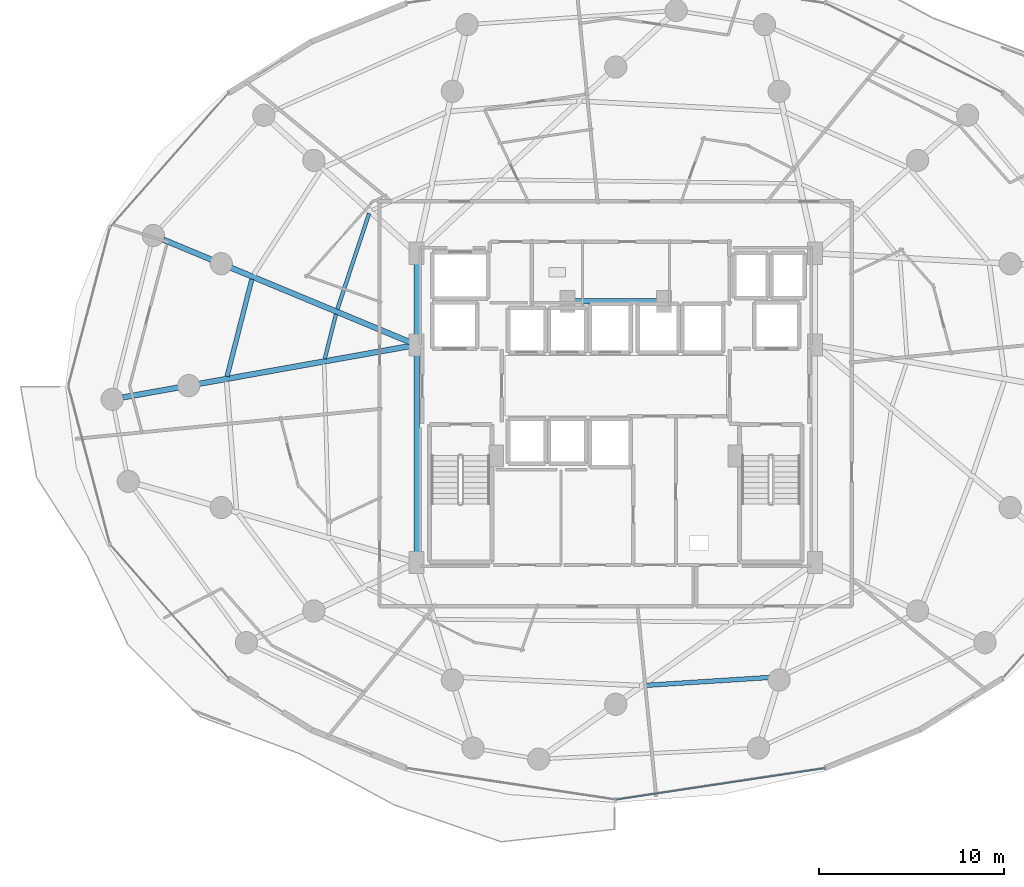
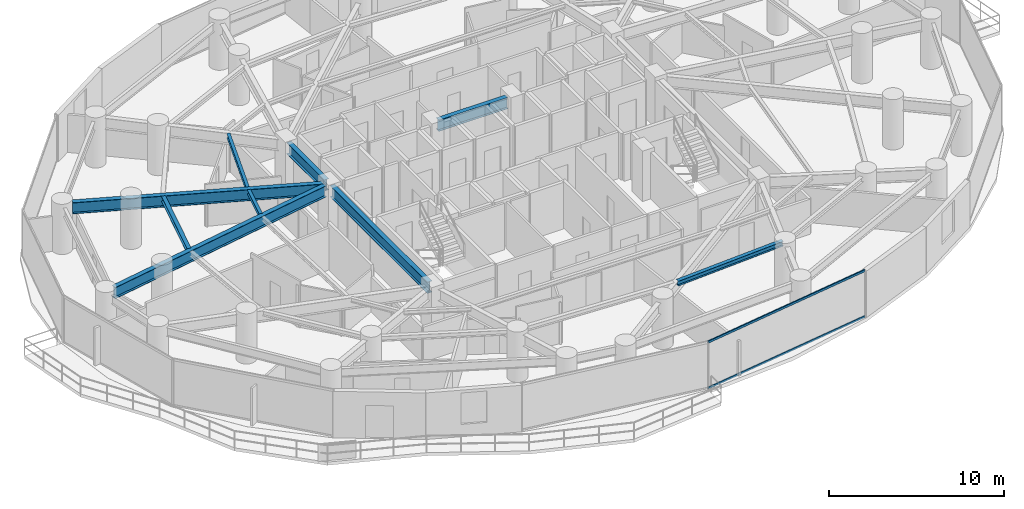
# One storey, part 10 of 33: 9 beams, 2 members, 1 element without a shape of its own.
"""IFC4 building model written with IfcOpenShell, lengths in metres."""

from ifc_helpers import new_model, si_unit, direction, frame, origin, origin_2d, place, context, subcontext, project, spatial, hollow_rectangle, i_section, extrude, material, material_profile, profile_set, type_object, element, aggregate, save


model = new_model("IFC4")

# Units and contexts
model_context = context("Model", 3, precision=1e-05, world=origin(), true_north=direction((0.0, 1.0)))
body_context = subcontext(model_context, "Body", "Model", "MODEL_VIEW")
ifc_project = project(units=[si_unit("LENGTHUNIT", "METRE"), si_unit("AREAUNIT", "SQUARE_METRE"), si_unit("VOLUMEUNIT", "CUBIC_METRE"), si_unit("PLANEANGLEUNIT", "RADIAN"), si_unit("MASSUNIT", "GRAM", prefix="KILO")], contexts=[model_context])

# Site, building, storey
site_placement = place(None, origin())
site = spatial("IfcSite", under=ifc_project, at=site_placement, CompositionType="ELEMENT")
building_placement = place(site_placement, origin())
building = spatial("IfcBuilding", under=site, at=building_placement, Name="Vorneva Point Tower", CompositionType="ELEMENT")
storey_placement = place(building_placement, frame((0.0, 0.0, 59.0)))
storey = spatial("IfcBuildingStorey", under=building, at=storey_placement, Name="L15", CompositionType="ELEMENT", Elevation=59.0)

# Beams
ifc_material_1 = material(Name="Steel S355", Category="steel")
ifc_material_profile_1 = material_profile(ifc_material_1, i_section(OverallWidth=0.300048828125, OverallDepth=0.7880859375, WebThickness=0.014404296875, FlangeThickness=0.02197265625, at=origin_2d()), Name="80Sh1")
ifc_profile_set_1 = profile_set([ifc_material_profile_1], Name="Steel S355")
beam_type_1 = type_object("IfcBeamType", Name="BM-GRD-80Sh1", PredefinedType="USERDEFINED", material=ifc_profile_set_1)
beam_1_placement = place(storey_placement, frame((13.58203125, 33.8798828125, 2.845947265625), z_axis=(0.923441131162, -0.383740116847, 0.0), x_axis=(0.383740116847, 0.923441131162, 0.0)))
element("IfcBeam", 1, at=beam_1_placement, inside=storey, type_object=beam_type_1, Name="L15 Radial Primary Girder 08", ObjectType="GIRDER", PredefinedType="USERDEFINED", context=body_context, shape_type="SweptSolid", body=[
    extrude(i_section(OverallWidth=0.300048828125, OverallDepth=0.7880859375, WebThickness=0.014404296875, FlangeThickness=0.02197265625, at=origin_2d()), origin(), (0.0, 0.0, 1.0), 14.461181640625),
])
beam_2_placement = place(storey_placement, frame((11.396728515625, 25.364501953125, 2.845947265625), z_axis=(0.984378532035, 0.176065060895, 0.0), x_axis=(-0.176065060895, 0.984378532035, 0.0)))
element("IfcBeam", 2, at=beam_2_placement, inside=storey, type_object=beam_type_1, Name="L15 Radial Primary Girder 09", ObjectType="GIRDER", PredefinedType="USERDEFINED", context=body_context, shape_type="SweptSolid", body=[
    extrude(i_section(OverallWidth=0.300048828125, OverallDepth=0.7880859375, WebThickness=0.014404296875, FlangeThickness=0.02197265625, at=origin_2d()), origin(), (0.0, 0.0, 1.0), 15.764892578125),
])
beam_3_placement = place(storey_placement, frame((27.25, 16.77001953125, 2.845947265625), z_axis=(0.0, 1.0, 0.0), x_axis=(-1.0, 0.0, 0.0)))
element("IfcBeam", 3, at=beam_3_placement, inside=storey, type_object=beam_type_1, Name="L15 Core Tie Girder CT1", ObjectType="GIRDER", PredefinedType="USERDEFINED", context=body_context, shape_type="SweptSolid", body=[
    extrude(i_section(OverallWidth=0.300048828125, OverallDepth=0.7880859375, WebThickness=0.014404296875, FlangeThickness=0.02197265625, at=origin_2d()), origin(), (0.0, 0.0, 1.0), 11.10986328125),
])
beam_4_placement = place(storey_placement, frame((27.25, 28.52001953125, 2.845947265625), z_axis=(0.0, 1.0, 0.0), x_axis=(-1.0, 0.0, 0.0)))
element("IfcBeam", 4, at=beam_4_placement, inside=storey, type_object=beam_type_1, Name="L15 Core Tie Girder CT2", ObjectType="GIRDER", PredefinedType="USERDEFINED", context=body_context, shape_type="SweptSolid", body=[
    extrude(i_section(OverallWidth=0.300048828125, OverallDepth=0.7880859375, WebThickness=0.014404296875, FlangeThickness=0.02197265625, at=origin_2d()), origin(), (0.0, 0.0, 1.0), 4.31005859375),
])
beam_5_placement = place(storey_placement, frame((35.719970703125, 30.550048828125, 2.845947265625), z_axis=(1.0, 0.0, 0.0), x_axis=(0.0, 1.0, 0.0)))
element("IfcBeam", 5, at=beam_5_placement, inside=storey, type_object=beam_type_1, Name="L15 Core Tie Girder CT8", ObjectType="GIRDER", PredefinedType="USERDEFINED", context=body_context, shape_type="SweptSolid", body=[
    extrude(i_section(OverallWidth=0.300048828125, OverallDepth=0.7880859375, WebThickness=0.014404296875, FlangeThickness=0.02197265625, at=origin_2d()), origin(), (0.0, 0.0, 1.0), 4.56005859375),
])
ifc_material_profile_2 = material_profile(ifc_material_1, i_section(OverallWidth=0.199951171875, OverallDepth=0.291015625, WebThickness=0.008056640625, FlangeThickness=0.010986328125, at=origin_2d()), Name="30Sh1")
ifc_profile_set_2 = profile_set([ifc_material_profile_2], Name="Steel S355")
beam_type_2 = type_object("IfcBeamType", Name="BM-SEC-30Sh1", PredefinedType="BEAM", material=ifc_profile_set_2)
beam_6_placement = place(storey_placement, frame((24.6865234375, 35.295166015625, 3.094482421875), z_axis=(-0.314599828302, -0.949224392877, 0.0), x_axis=(0.949224392877, -0.314599828302, 0.0)))
element("IfcBeam", 6, at=beam_6_placement, inside=storey, type_object=beam_type_2, Name="L15 Secondary Floor Beam 2.07", PredefinedType="BEAM", context=body_context, shape_type="SweptSolid", body=[
    extrude(i_section(OverallWidth=0.199951171875, OverallDepth=0.291015625, WebThickness=0.008056640625, FlangeThickness=0.010986328125, at=origin_2d()), origin(), (0.0, 0.0, 1.0), 5.445556640625),
])
beam_7_placement = place(storey_placement, frame((22.896484375, 29.861328125, 3.094482421875), z_axis=(-0.241890637233, -0.970303519327, 0.0), x_axis=(0.970303519327, -0.241890637233, 0.0)))
element("IfcBeam", 7, at=beam_7_placement, inside=storey, type_object=beam_type_2, Name="L15 Secondary Floor Beam 2.08", PredefinedType="BEAM", context=body_context, shape_type="SweptSolid", body=[
    extrude(i_section(OverallWidth=0.199951171875, OverallDepth=0.291015625, WebThickness=0.008056640625, FlangeThickness=0.010986328125, at=origin_2d()), origin(), (0.0, 0.0, 1.0), 2.493896484375),
])
ifc_material_profile_3 = material_profile(ifc_material_1, i_section(OverallWidth=0.2490234375, OverallDepth=0.333984375, WebThickness=0.008056640625, FlangeThickness=0.010986328125, at=origin_2d()), Name="35Sh1")
ifc_profile_set_3 = profile_set([ifc_material_profile_3], Name="Steel S355")
beam_type_3 = type_object("IfcBeamType", Name="BM-SEC-35Sh1", PredefinedType="BEAM", material=ifc_profile_set_3)
beam_8_placement = place(storey_placement, frame((18.35546875, 31.748291015625, 3.072998046875), z_axis=(-0.246900841895, -0.969040749541, 0.0), x_axis=(0.969040749541, -0.246900841895, 0.0)))
element("IfcBeam", 8, at=beam_8_placement, inside=storey, type_object=beam_type_3, Name="L15 Secondary Floor Beam 1.08", PredefinedType="BEAM", context=body_context, shape_type="SweptSolid", body=[
    extrude(i_section(OverallWidth=0.2490234375, OverallDepth=0.333984375, WebThickness=0.008056640625, FlangeThickness=0.010986328125, at=origin_2d()), origin(), (0.0, 0.0, 1.0), 5.418701171875),
])
beam_9_placement = place(storey_placement, frame((39.552490234375, 9.815673828125, 3.072998046875), z_axis=(0.997965043885, 0.063763400031, 0.0), x_axis=(-0.063763400031, 0.997965043885, 0.0)))
element("IfcBeam", 9, at=beam_9_placement, inside=storey, type_object=beam_type_3, Name="L15 Secondary Floor Beam 1.13", PredefinedType="BEAM", context=body_context, shape_type="SweptSolid", body=[
    extrude(i_section(OverallWidth=0.2490234375, OverallDepth=0.333984375, WebThickness=0.008056640625, FlangeThickness=0.010986328125, at=origin_2d()), origin(), (0.0, 0.0, 1.0), 7.1982421875),
])

# Curtain wall, members
ifc_material_2 = material(Name="Pale anodised aluminium", Category="aluminium")
curtain_wall_type = type_object("IfcCurtainWallType", Name="CW-HTL-SYS", PredefinedType="NOTDEFINED", material=ifc_material_2)
curtain_wall_placement = place(storey_placement, origin())
curtain_wall = element("IfcCurtainWall", 10, at=curtain_wall_placement, inside=storey, type_object=curtain_wall_type, Name="L15 Unitised Curtain Wall CW-L15-R04", PredefinedType="NOTDEFINED")
ifc_material_profile_4 = material_profile(ifc_material_2, hollow_rectangle(XDim=0.074951171875, YDim=0.14990234375, WallThickness=0.00390625, at=origin_2d()), Name="AL-TRN 150x75x4")
ifc_profile_set_4 = profile_set([ifc_material_profile_4], Name="Pale anodised aluminium")
member_type = type_object("IfcMemberType", Name="CW-TRN-150", PredefinedType="USERDEFINED", material=ifc_profile_set_4)
member_1_placement = place(storey_placement, frame((38.0, 3.64990234375, 0.02001953125), z_axis=(0.988870014575, 0.148782036131, 0.0), x_axis=(-0.148782036131, 0.988870014575, 0.0)))
member_1 = element("IfcMember", 11, at=member_1_placement, type_object=member_type, Name="CW-L15-R04 Transom 02.1", ObjectType="TRANSOM", PredefinedType="USERDEFINED", context=body_context, shape_type="SweptSolid", body=[
    extrude(hollow_rectangle(XDim=0.074951171875, YDim=0.14990234375, WallThickness=0.00390625, at=origin_2d()), origin(), (0.0, 0.0, 1.0), 11.435546875),
])
member_2_placement = place(storey_placement, frame((38.0, 3.64990234375, 3.219970703125), z_axis=(0.988870014575, 0.148782036131, 0.0), x_axis=(-0.148782036131, 0.988870014575, 0.0)))
member_2 = element("IfcMember", 12, at=member_2_placement, type_object=member_type, Name="CW-L15-R04 Transom 02.2", ObjectType="TRANSOM", PredefinedType="USERDEFINED", context=body_context, shape_type="SweptSolid", body=[
    extrude(hollow_rectangle(XDim=0.074951171875, YDim=0.14990234375, WallThickness=0.00390625, at=origin_2d()), origin(), (0.0, 0.0, 1.0), 11.435546875),
])
aggregate(curtain_wall, [member_1, member_2])

save(model, "model.ifc")
